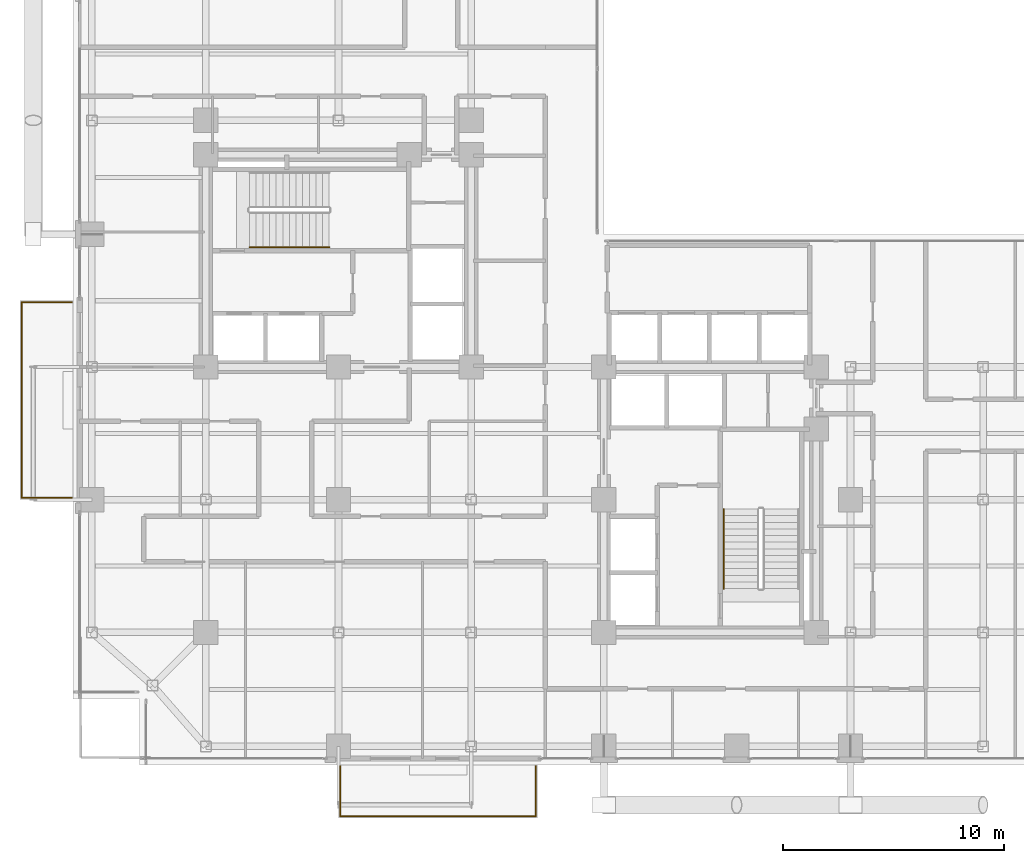
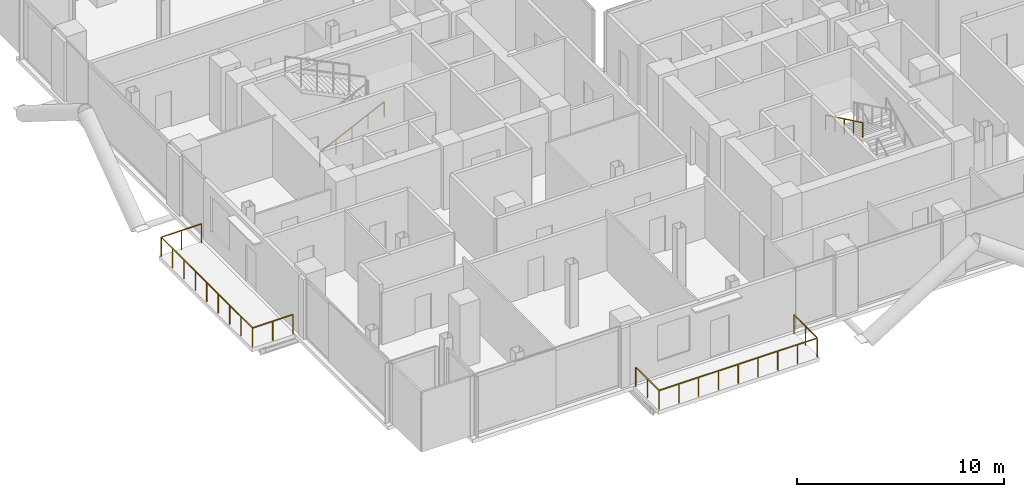
# One storey, part 23 of 24: 4 railings.
"""IFC4 building model written with IfcOpenShell, lengths in metres."""

from ifc_helpers import new_model, si_unit, direction, frame, origin, origin_2d, place, context, subcontext, project, spatial, rectangle, extrude, material, type_object, element, save


model = new_model("IFC4")

# Units and contexts
model_context = context("Model", 3, precision=1e-05, world=origin(), true_north=direction((0.0, 1.0)))
body_context = subcontext(model_context, "Body", "Model", "MODEL_VIEW")
ifc_project = project(units=[si_unit("LENGTHUNIT", "METRE"), si_unit("AREAUNIT", "SQUARE_METRE"), si_unit("VOLUMEUNIT", "CUBIC_METRE"), si_unit("PLANEANGLEUNIT", "RADIAN"), si_unit("MASSUNIT", "GRAM", prefix="KILO"), si_unit("THERMODYNAMICTEMPERATUREUNIT", "KELVIN"), si_unit("POWERUNIT", "WATT")], contexts=[model_context])

# Site, building, storey
site_placement = place(None, origin())
site = spatial("IfcSite", under=ifc_project, at=site_placement, CompositionType="ELEMENT")
building_placement = place(site_placement, origin())
building = spatial("IfcBuilding", under=site, at=building_placement, Name="Svarakhadi Broadcast Tower", CompositionType="ELEMENT")
storey_placement = place(building_placement, frame((0.0, 0.0, 145.64990234375)))
storey = spatial("IfcBuildingStorey", under=building, at=storey_placement, Name="L35", CompositionType="ELEMENT", Elevation=145.64990234375)

# Railings
ifc_material_1 = material(Name="Laminated Structural SentryGlas Balustrade 25.5 mm", Category="glass")
railing_type_1 = type_object("IfcRailingType", Name="Guard_Balcony_GR01", PredefinedType="BALUSTRADE", material=ifc_material_1)
railing_1_placement = place(storey_placement, frame((12.080078125, -0.06005859375, 0.0)))
element("IfcRailing", 1, at=railing_1_placement, inside=storey, type_object=railing_type_1, Name="L35 South Tree Balcony Guard GR-05", PredefinedType="BALUSTRADE", context=body_context, shape_type="SweptSolid", body=[
    extrude(rectangle(XDim=0.048095703125, YDim=0.048095703125, at=origin_2d()), frame((0.0, 0.0, 1.1259765625), z_axis=(0.0, -1.0, 0.0), x_axis=(1.0, 0.0, 0.0)), (0.0, 0.0, 1.0), 2.260009765625),
    extrude(rectangle(XDim=0.048095703125, YDim=0.048095703125, at=origin_2d()), frame((0.0, -2.260009765625, 1.1259765625), z_axis=(1.0, 0.0, 0.0), x_axis=(0.0, 1.0, 0.0)), (0.0, 0.0, 1.0), 8.83984375),
    extrude(rectangle(XDim=0.048095703125, YDim=0.048095703125, at=origin_2d()), frame((8.83984375, -2.260009765625, 1.1259765625), z_axis=(0.0, 1.0, 0.0), x_axis=(-1.0, 0.0, 0.0)), (0.0, 0.0, 1.0), 2.260009765625),
    extrude(rectangle(XDim=0.0419921875, YDim=0.0419921875, at=origin_2d()), origin(), (0.0, 0.0, 1.0), 1.101806640625),
    extrude(rectangle(XDim=0.0419921875, YDim=0.0419921875, at=origin_2d()), frame((0.0, -1.1298828125, 0.0)), (0.0, 0.0, 1.0), 1.101806640625),
    extrude(rectangle(XDim=0.0419921875, YDim=0.0419921875, at=origin_2d()), frame((0.0, -2.260009765625, 0.0)), (0.0, 0.0, 1.0), 1.101806640625),
    extrude(rectangle(XDim=0.0419921875, YDim=0.0419921875, at=origin_2d()), frame((1.10498046875, -2.260009765625, 0.0)), (0.0, 0.0, 1.0), 1.101806640625),
    extrude(rectangle(XDim=0.0419921875, YDim=0.0419921875, at=origin_2d()), frame((2.2099609375, -2.260009765625, 0.0)), (0.0, 0.0, 1.0), 1.101806640625),
    extrude(rectangle(XDim=0.0419921875, YDim=0.0419921875, at=origin_2d()), frame((3.31494140625, -2.260009765625, 0.0)), (0.0, 0.0, 1.0), 1.101806640625),
    extrude(rectangle(XDim=0.0419921875, YDim=0.0419921875, at=origin_2d()), frame((4.419921875, -2.260009765625, 0.0)), (0.0, 0.0, 1.0), 1.101806640625),
    extrude(rectangle(XDim=0.0419921875, YDim=0.0419921875, at=origin_2d()), frame((5.52490234375, -2.260009765625, 0.0)), (0.0, 0.0, 1.0), 1.101806640625),
    extrude(rectangle(XDim=0.0419921875, YDim=0.0419921875, at=origin_2d()), frame((6.6298828125, -2.260009765625, 0.0)), (0.0, 0.0, 1.0), 1.101806640625),
    extrude(rectangle(XDim=0.0419921875, YDim=0.0419921875, at=origin_2d()), frame((7.73486328125, -2.260009765625, 0.0)), (0.0, 0.0, 1.0), 1.101806640625),
    extrude(rectangle(XDim=0.0419921875, YDim=0.0419921875, at=origin_2d()), frame((8.83984375, -2.260009765625, 0.0)), (0.0, 0.0, 1.0), 1.101806640625),
    extrude(rectangle(XDim=0.0419921875, YDim=0.0419921875, at=origin_2d()), frame((8.83984375, -1.1298828125, 0.0)), (0.0, 0.0, 1.0), 1.101806640625),
    extrude(rectangle(XDim=0.0419921875, YDim=0.0419921875, at=origin_2d()), frame((8.83984375, 0.0, 0.0)), (0.0, 0.0, 1.0), 1.101806640625),
])
railing_2_placement = place(storey_placement, frame((-0.06005859375, 12.080078125, 0.0)))
element("IfcRailing", 2, at=railing_2_placement, inside=storey, type_object=railing_type_1, Name="L35 West Tree Balcony Guard GR-05", PredefinedType="BALUSTRADE", context=body_context, shape_type="SweptSolid", body=[
    extrude(rectangle(XDim=0.048095703125, YDim=0.048095703125, at=origin_2d()), frame((0.0, 0.0, 1.1259765625), z_axis=(-1.0, 0.0, 0.0), x_axis=(0.0, -1.0, 0.0)), (0.0, 0.0, 1.0), 2.260009765625),
    extrude(rectangle(XDim=0.048095703125, YDim=0.048095703125, at=origin_2d()), frame((-2.260009765625, 0.0, 1.1259765625), z_axis=(0.0, 1.0, 0.0), x_axis=(-1.0, 0.0, 0.0)), (0.0, 0.0, 1.0), 8.83984375),
    extrude(rectangle(XDim=0.048095703125, YDim=0.048095703125, at=origin_2d()), frame((-2.260009765625, 8.83984375, 1.1259765625), z_axis=(1.0, 0.0, 0.0), x_axis=(0.0, 1.0, 0.0)), (0.0, 0.0, 1.0), 2.260009765625),
    extrude(rectangle(XDim=0.0419921875, YDim=0.0419921875, at=origin_2d()), origin(), (0.0, 0.0, 1.0), 1.101806640625),
    extrude(rectangle(XDim=0.0419921875, YDim=0.0419921875, at=origin_2d()), frame((-1.1298828125, 0.0, 0.0)), (0.0, 0.0, 1.0), 1.101806640625),
    extrude(rectangle(XDim=0.0419921875, YDim=0.0419921875, at=origin_2d()), frame((-2.260009765625, 0.0, 0.0)), (0.0, 0.0, 1.0), 1.101806640625),
    extrude(rectangle(XDim=0.0419921875, YDim=0.0419921875, at=origin_2d()), frame((-2.260009765625, 1.10498046875, 0.0)), (0.0, 0.0, 1.0), 1.101806640625),
    extrude(rectangle(XDim=0.0419921875, YDim=0.0419921875, at=origin_2d()), frame((-2.260009765625, 2.2099609375, 0.0)), (0.0, 0.0, 1.0), 1.101806640625),
    extrude(rectangle(XDim=0.0419921875, YDim=0.0419921875, at=origin_2d()), frame((-2.260009765625, 3.31494140625, 0.0)), (0.0, 0.0, 1.0), 1.101806640625),
    extrude(rectangle(XDim=0.0419921875, YDim=0.0419921875, at=origin_2d()), frame((-2.260009765625, 4.419921875, 0.0)), (0.0, 0.0, 1.0), 1.101806640625),
    extrude(rectangle(XDim=0.0419921875, YDim=0.0419921875, at=origin_2d()), frame((-2.260009765625, 5.52490234375, 0.0)), (0.0, 0.0, 1.0), 1.101806640625),
    extrude(rectangle(XDim=0.0419921875, YDim=0.0419921875, at=origin_2d()), frame((-2.260009765625, 6.6298828125, 0.0)), (0.0, 0.0, 1.0), 1.101806640625),
    extrude(rectangle(XDim=0.0419921875, YDim=0.0419921875, at=origin_2d()), frame((-2.260009765625, 7.73486328125, 0.0)), (0.0, 0.0, 1.0), 1.101806640625),
    extrude(rectangle(XDim=0.0419921875, YDim=0.0419921875, at=origin_2d()), frame((-2.260009765625, 8.83984375, 0.0)), (0.0, 0.0, 1.0), 1.101806640625),
    extrude(rectangle(XDim=0.0419921875, YDim=0.0419921875, at=origin_2d()), frame((-1.1298828125, 8.83984375, 0.0)), (0.0, 0.0, 1.0), 1.101806640625),
    extrude(rectangle(XDim=0.0419921875, YDim=0.0419921875, at=origin_2d()), frame((0.0, 8.83984375, 0.0)), (0.0, 0.0, 1.0), 1.101806640625),
])
ifc_material_2 = material(Name="Anodised Bronze Aluminium AA 6063-T6", Category="aluminium")
railing_type_2 = type_object("IfcRailingType", Name="Handrail_Stair_HR01", PredefinedType="HANDRAIL", material=ifc_material_2)
railing_3_placement = place(storey_placement, frame((7.97998046875, 23.409912109375, 0.144287109375)))
element("IfcRailing", 3, at=railing_3_placement, inside=storey, type_object=railing_type_2, Name="L35 ST-01 stair handrail 1", PredefinedType="HANDRAIL", context=body_context, shape_type="SweptSolid", body=[
    extrude(rectangle(XDim=0.048095703125, YDim=0.048095703125, at=origin_2d()), frame((0.0, 0.0, 0.8759765625), z_axis=(0.901262522062, 0.0, 0.433273431364), x_axis=(0.0, 1.0, 0.0)), (0.0, 0.0, 1.0), 3.994384765625),
    extrude(rectangle(XDim=0.0419921875, YDim=0.0419921875, at=origin_2d()), origin(), (0.0, 0.0, 1.0), 0.851806640625),
    extrude(rectangle(XDim=0.0419921875, YDim=0.0419921875, at=origin_2d()), frame((0.89990234375, 0.0, 0.4326171875)), (0.0, 0.0, 1.0), 0.851806640625),
    extrude(rectangle(XDim=0.0419921875, YDim=0.0419921875, at=origin_2d()), frame((1.800048828125, 0.0, 0.865234375)), (0.0, 0.0, 1.0), 0.851806640625),
    extrude(rectangle(XDim=0.0419921875, YDim=0.0419921875, at=origin_2d()), frame((2.7001953125, 0.0, 1.298095703125)), (0.0, 0.0, 1.0), 0.851806640625),
    extrude(rectangle(XDim=0.0419921875, YDim=0.0419921875, at=origin_2d()), frame((3.60009765625, 0.0, 1.730712890625)), (0.0, 0.0, 1.0), 0.851806640625),
])
railing_4_placement = place(storey_placement, frame((29.409912109375, 11.580078125, 2.019287109375)))
element("IfcRailing", 4, at=railing_4_placement, inside=storey, type_object=railing_type_2, Name="L35 ST-02 stair handrail 2", PredefinedType="HANDRAIL", context=body_context, shape_type="SweptSolid", body=[
    extrude(rectangle(XDim=0.048095703125, YDim=0.048095703125, at=origin_2d()), frame((0.0, 0.0, 0.8759765625), z_axis=(0.0, -0.901262522062, 0.433273431364), x_axis=(1.0, 0.0, 0.0)), (0.0, 0.0, 1.0), 3.994384765625),
    extrude(rectangle(XDim=0.0419921875, YDim=0.0419921875, at=origin_2d()), origin(), (0.0, 0.0, 1.0), 0.851806640625),
    extrude(rectangle(XDim=0.0419921875, YDim=0.0419921875, at=origin_2d()), frame((0.0, -0.89990234375, 0.4326171875)), (0.0, 0.0, 1.0), 0.851806640625),
    extrude(rectangle(XDim=0.0419921875, YDim=0.0419921875, at=origin_2d()), frame((0.0, -1.800048828125, 0.865234375)), (0.0, 0.0, 1.0), 0.851806640625),
    extrude(rectangle(XDim=0.0419921875, YDim=0.0419921875, at=origin_2d()), frame((0.0, -2.7001953125, 1.298095703125)), (0.0, 0.0, 1.0), 0.851806640625),
    extrude(rectangle(XDim=0.0419921875, YDim=0.0419921875, at=origin_2d()), frame((0.0, -3.60009765625, 1.730712890625)), (0.0, 0.0, 1.0), 0.851806640625),
])

save(model, "model.ifc")
